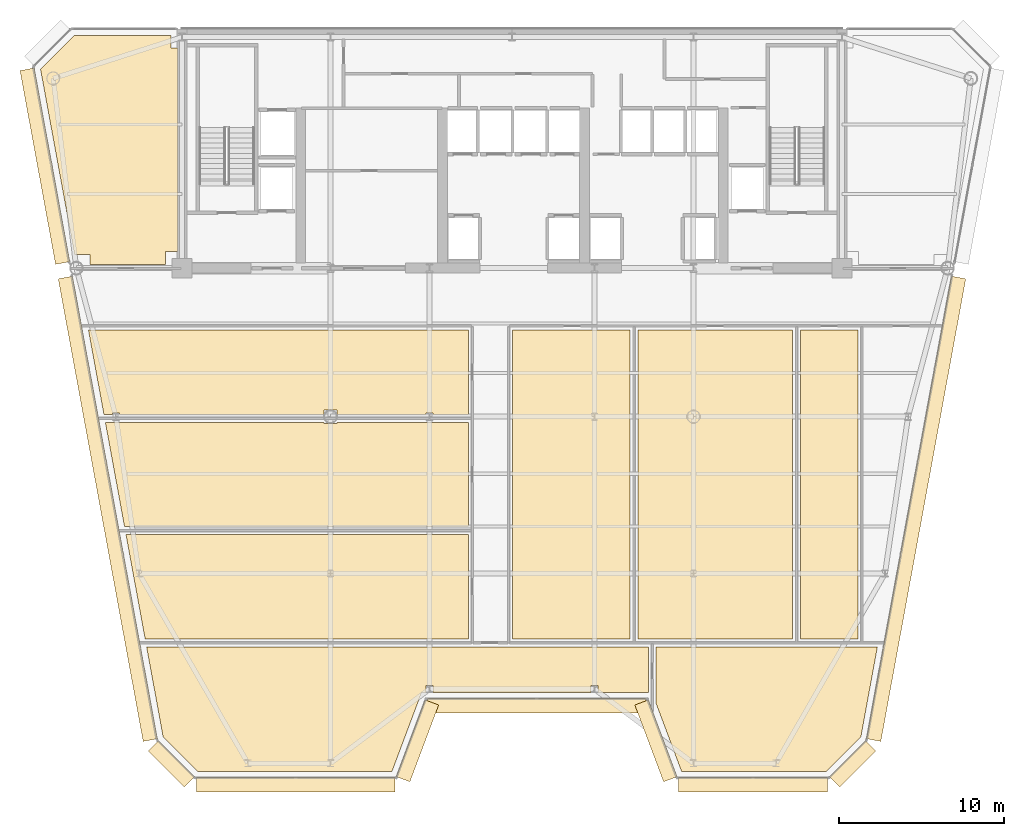
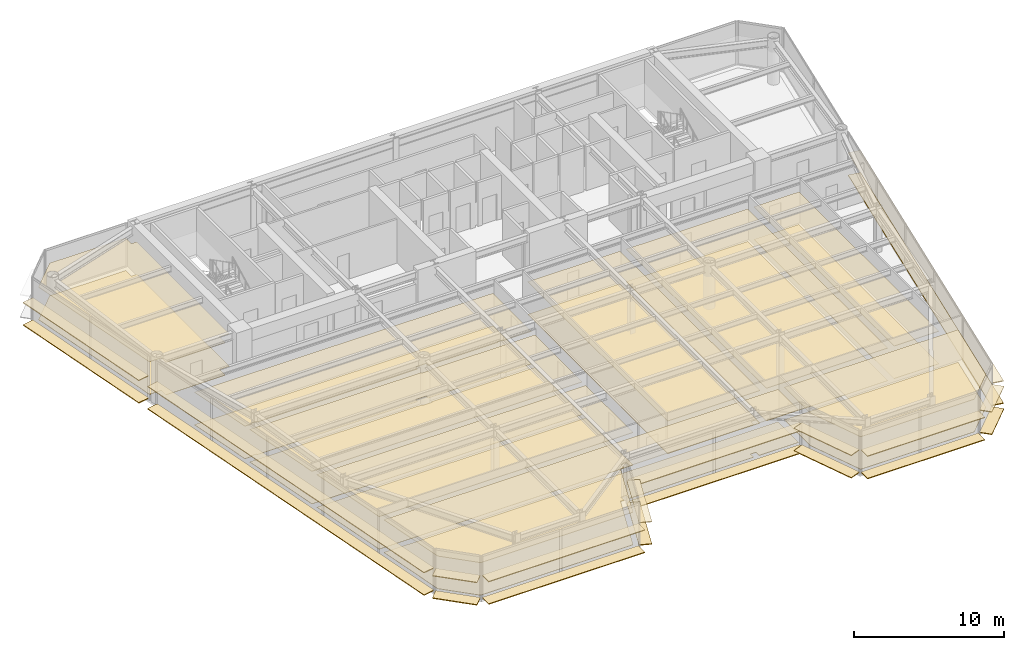
# One storey, part 13 of 16: 38 coverings.
"""IFC4 building model written with IfcOpenShell, lengths in metres."""

from ifc_helpers import new_model, si_unit, direction, frame, origin, origin_2d, place, context, subcontext, project, spatial, polyline, rectangle, outline, extrude, source, transform, mapped, material, layer, layer_set, type_object, element, save


model = new_model("IFC4")

# Units and contexts
model_context = context("Model", 3, precision=1e-05, world=origin(), true_north=direction((0.0, 1.0)))
body_context = subcontext(model_context, "Body", "Model", "MODEL_VIEW")
ifc_project = project(units=[si_unit("LENGTHUNIT", "METRE"), si_unit("AREAUNIT", "SQUARE_METRE"), si_unit("VOLUMEUNIT", "CUBIC_METRE"), si_unit("PLANEANGLEUNIT", "RADIAN"), si_unit("MASSUNIT", "GRAM", prefix="KILO")], contexts=[model_context])

# Site, building, storey
site_placement = place(None, origin())
site = spatial("IfcSite", under=ifc_project, at=site_placement, CompositionType="ELEMENT")
building_placement = place(site_placement, origin())
building = spatial("IfcBuilding", under=site, at=building_placement, Name="Vaeldorn Concourse Tower", CompositionType="ELEMENT")
storey_placement = place(building_placement, frame((0.0, 0.0, 184.199951171875)))
storey = spatial("IfcBuildingStorey", under=building, at=storey_placement, Name="L47", CompositionType="ELEMENT", Elevation=184.199951171875)

# Coverings
ifc_material_1 = material(Name="Acoustic Mineral Fibre Board", Category="gypsum")
ifc_layer_1 = layer(ifc_material_1, 0.0400390625)
ifc_layer_set_1 = layer_set([ifc_layer_1], Name="Acoustic Mineral Fibre Board")
covering_type_1 = type_object("IfcCoveringType", Name="COV-CEIL-ACOUSTIC", PredefinedType="CEILING", material=ifc_layer_set_1)
covering_1_placement = place(storey_placement, frame((0.0, 0.0, 2.650146484375)))
element("IfcCovering", 1, at=covering_1_placement, inside=storey, type_object=covering_type_1, Name="Suspended Acoustic Ceiling L47-3", PredefinedType="CEILING", context=body_context, shape_type="SweptSolid", body=[
    extrude(outline(polyline([(7.4658203125, 50.60009765625), (13.340087890625, 50.60009765625), (13.340087890625, 49.840087890625), (13.760009765625, 49.840087890625), (13.760009765625, 37.5), (13.0, 37.5), (13.0, 36.719970703125), (8.419921875, 36.719970703125), (8.419921875, 37.320068359375), (7.49609375, 37.320068359375), (5.431396484375, 48.565673828125), (7.4658203125, 50.60009765625)])), origin(), (0.0, 0.0, 1.0), 0.039794921875),
])
covering_2_placement = place(storey_placement, frame((0.0, 0.0, 2.650146484375)))
element("IfcCovering", 2, at=covering_2_placement, inside=storey, type_object=covering_type_1, Name="Suspended Acoustic Ceiling L47-5", PredefinedType="CEILING", context=body_context, shape_type="SweptSolid", body=[
    extrude(outline(polyline([(42.260009765625, 13.56005859375), (42.260009765625, 10.800048828125), (39.2060546875, 10.800048828125), (39.2060546875, 11.217529296875), (38.7939453125, 11.217529296875), (38.7939453125, 10.800048828125), (29.2060546875, 10.800048828125), (29.2060546875, 11.217529296875), (28.7939453125, 11.217529296875), (28.7939453125, 10.800048828125), (28.522705078125, 10.800048828125), (26.722900390625, 6.0), (14.956787109375, 6.0), (12.86181640625, 8.0947265625), (11.8583984375, 13.56005859375), (42.260009765625, 13.56005859375)])), origin(), (0.0, 0.0, 1.0), 0.039794921875),
])
covering_3_placement = place(storey_placement, frame((0.0, 0.0, 2.650146484375)))
element("IfcCovering", 3, at=covering_3_placement, inside=storey, type_object=covering_type_1, Name="Suspended Acoustic Ceiling L47-6", PredefinedType="CEILING", context=body_context, shape_type="SweptSolid", body=[
    extrude(outline(polyline([(53.043212890625, 6.0), (44.277099609375, 6.0), (42.739990234375, 10.09912109375), (42.739990234375, 13.56005859375), (56.1416015625, 13.56005859375), (55.13818359375, 8.0947265625), (53.043212890625, 6.0)])), origin(), (0.0, 0.0, 1.0), 0.039794921875),
])
covering_4_placement = place(storey_placement, frame((0.0, 0.0, 2.650146484375)))
element("IfcCovering", 4, at=covering_4_placement, inside=storey, type_object=covering_type_1, Name="Suspended Acoustic Ceiling L47-7", PredefinedType="CEILING", context=body_context, shape_type="SweptSolid", body=[
    extrude(outline(polyline([(31.360107421875, 20.360107421875), (31.360107421875, 14.0400390625), (11.7705078125, 14.0400390625), (11.16455078125, 17.340087890625), (11.16455078125, 17.340087890625), (10.610107421875, 20.360107421875), (31.360107421875, 20.360107421875)])), origin(), (0.0, 0.0, 1.0), 0.039794921875),
])
covering_5_placement = place(storey_placement, frame((0.0, 0.0, 2.650146484375)))
element("IfcCovering", 5, at=covering_5_placement, inside=storey, type_object=covering_type_1, Name="Suspended Acoustic Ceiling L47-8", PredefinedType="CEILING", context=body_context, shape_type="SweptSolid", body=[
    extrude(outline(polyline([(22.593505859375, 27.159912109375), (22.593505859375, 27.093505859375), (23.406494140625, 27.093505859375), (23.406494140625, 27.159912109375), (31.360107421875, 27.159912109375), (31.360107421875, 20.840087890625), (10.52197265625, 20.840087890625), (9.361572265625, 27.159912109375), (22.593505859375, 27.159912109375)])), origin(), (0.0, 0.0, 1.0), 0.039794921875),
])
covering_6_placement = place(storey_placement, frame((0.0, 0.0, 2.650146484375)))
element("IfcCovering", 6, at=covering_6_placement, inside=storey, type_object=covering_type_1, Name="Suspended Acoustic Ceiling L47-9", PredefinedType="CEILING", context=body_context, shape_type="SweptSolid", body=[
    extrude(outline(polyline([(31.360107421875, 32.760009765625), (31.360107421875, 27.639892578125), (29.2060546875, 27.639892578125), (29.2060546875, 27.717529296875), (28.7939453125, 27.717529296875), (28.7939453125, 27.639892578125), (23.406494140625, 27.639892578125), (23.406494140625, 27.906494140625), (22.593505859375, 27.906494140625), (22.593505859375, 27.639892578125), (10.2060546875, 27.639892578125), (10.2060546875, 27.717529296875), (9.7939453125, 27.717529296875), (9.7939453125, 27.639892578125), (9.2734375, 27.639892578125), (8.33349609375, 32.760009765625), (31.360107421875, 32.760009765625)])), origin(), (0.0, 0.0, 1.0), 0.039794921875),
])
covering_7_placement = place(storey_placement, frame((0.0, 0.0, 2.650146484375)))
element("IfcCovering", 7, at=covering_7_placement, inside=storey, type_object=covering_type_1, Name="Suspended Acoustic Ceiling L47-10", PredefinedType="CEILING", context=body_context, shape_type="SweptSolid", body=[
    extrude(outline(polyline([(34.0400390625, 32.760009765625), (41.159912109375, 32.760009765625), (41.159912109375, 14.0400390625), (34.0400390625, 14.0400390625), (34.0400390625, 32.760009765625)])), origin(), (0.0, 0.0, 1.0), 0.039794921875),
])
covering_8_placement = place(storey_placement, frame((0.0, 0.0, 2.650146484375)))
element("IfcCovering", 8, at=covering_8_placement, inside=storey, type_object=covering_type_1, Name="Suspended Acoustic Ceiling L47-11", PredefinedType="CEILING", context=body_context, shape_type="SweptSolid", body=[
    extrude(outline(polyline([(41.639892578125, 32.760009765625), (51.010009765625, 32.760009765625), (51.010009765625, 14.0400390625), (41.639892578125, 14.0400390625), (41.639892578125, 32.760009765625)])), origin(), (0.0, 0.0, 1.0), 0.039794921875),
])
covering_9_placement = place(storey_placement, frame((0.0, 0.0, 2.650146484375)))
element("IfcCovering", 9, at=covering_9_placement, inside=storey, type_object=covering_type_1, Name="Suspended Acoustic Ceiling L47-12", PredefinedType="CEILING", context=body_context, shape_type="SweptSolid", body=[
    extrude(outline(polyline([(51.489990234375, 32.760009765625), (54.9599609375, 32.760009765625), (54.9599609375, 14.0400390625), (51.489990234375, 14.0400390625), (51.489990234375, 32.760009765625)])), origin(), (0.0, 0.0, 1.0), 0.039794921875),
])
ifc_material_2 = material(Name="Honed Limestone Terrazzo Flooring", Category="masonry")
ifc_layer_2 = layer(ifc_material_2, 0.0400390625)
ifc_layer_set_2 = layer_set([ifc_layer_2], Name="Honed Limestone Terrazzo Flooring")
covering_type_2 = type_object("IfcCoveringType", Name="COV-FLOOR-STONE", PredefinedType="FLOORING", material=ifc_layer_set_2)
covering_10_placement = place(storey_placement, origin())
element("IfcCovering", 10, at=covering_10_placement, inside=storey, type_object=covering_type_2, Name="Floor Finish Covering L47-3", PredefinedType="FLOORING", context=body_context, shape_type="SweptSolid", body=[
    extrude(outline(polyline([(7.4658203125, 50.60009765625), (13.340087890625, 50.60009765625), (13.340087890625, 49.840087890625), (13.760009765625, 49.840087890625), (13.760009765625, 37.5), (13.0, 37.5), (13.0, 36.719970703125), (8.419921875, 36.719970703125), (8.419921875, 37.320068359375), (7.49609375, 37.320068359375), (5.431396484375, 48.565673828125), (7.4658203125, 50.60009765625)])), origin(), (0.0, 0.0, 1.0), 0.030029296875),
])
covering_11_placement = place(storey_placement, origin())
element("IfcCovering", 11, at=covering_11_placement, inside=storey, type_object=covering_type_2, Name="Floor Finish Covering L47-5", PredefinedType="FLOORING", context=body_context, shape_type="SweptSolid", body=[
    extrude(outline(polyline([(42.260009765625, 13.56005859375), (42.260009765625, 10.800048828125), (39.2060546875, 10.800048828125), (39.2060546875, 11.217529296875), (38.7939453125, 11.217529296875), (38.7939453125, 10.800048828125), (29.2060546875, 10.800048828125), (29.2060546875, 11.217529296875), (28.7939453125, 11.217529296875), (28.7939453125, 10.800048828125), (28.522705078125, 10.800048828125), (26.722900390625, 6.0), (14.956787109375, 6.0), (12.86181640625, 8.0947265625), (11.8583984375, 13.56005859375), (42.260009765625, 13.56005859375)])), origin(), (0.0, 0.0, 1.0), 0.030029296875),
])
covering_12_placement = place(storey_placement, origin())
element("IfcCovering", 12, at=covering_12_placement, inside=storey, type_object=covering_type_2, Name="Floor Finish Covering L47-6", PredefinedType="FLOORING", context=body_context, shape_type="SweptSolid", body=[
    extrude(outline(polyline([(53.043212890625, 6.0), (44.277099609375, 6.0), (42.739990234375, 10.09912109375), (42.739990234375, 13.56005859375), (56.1416015625, 13.56005859375), (55.13818359375, 8.0947265625), (53.043212890625, 6.0)])), origin(), (0.0, 0.0, 1.0), 0.030029296875),
])
covering_13_placement = place(storey_placement, origin())
element("IfcCovering", 13, at=covering_13_placement, inside=storey, type_object=covering_type_2, Name="Floor Finish Covering L47-7", PredefinedType="FLOORING", context=body_context, shape_type="SweptSolid", body=[
    extrude(outline(polyline([(31.360107421875, 20.360107421875), (31.360107421875, 14.0400390625), (11.7705078125, 14.0400390625), (11.16455078125, 17.340087890625), (11.16455078125, 17.340087890625), (10.610107421875, 20.360107421875), (31.360107421875, 20.360107421875)])), origin(), (0.0, 0.0, 1.0), 0.030029296875),
])
covering_14_placement = place(storey_placement, origin())
element("IfcCovering", 14, at=covering_14_placement, inside=storey, type_object=covering_type_2, Name="Floor Finish Covering L47-8", PredefinedType="FLOORING", context=body_context, shape_type="SweptSolid", body=[
    extrude(outline(polyline([(22.593505859375, 27.159912109375), (22.593505859375, 27.093505859375), (23.406494140625, 27.093505859375), (23.406494140625, 27.159912109375), (31.360107421875, 27.159912109375), (31.360107421875, 20.840087890625), (10.52197265625, 20.840087890625), (9.361572265625, 27.159912109375), (22.593505859375, 27.159912109375)])), origin(), (0.0, 0.0, 1.0), 0.030029296875),
])
covering_15_placement = place(storey_placement, origin())
element("IfcCovering", 15, at=covering_15_placement, inside=storey, type_object=covering_type_2, Name="Floor Finish Covering L47-9", PredefinedType="FLOORING", context=body_context, shape_type="SweptSolid", body=[
    extrude(outline(polyline([(31.360107421875, 32.760009765625), (31.360107421875, 27.639892578125), (29.2060546875, 27.639892578125), (29.2060546875, 27.717529296875), (28.7939453125, 27.717529296875), (28.7939453125, 27.639892578125), (23.406494140625, 27.639892578125), (23.406494140625, 27.906494140625), (22.593505859375, 27.906494140625), (22.593505859375, 27.639892578125), (10.2060546875, 27.639892578125), (10.2060546875, 27.717529296875), (9.7939453125, 27.717529296875), (9.7939453125, 27.639892578125), (9.2734375, 27.639892578125), (8.33349609375, 32.760009765625), (31.360107421875, 32.760009765625)])), origin(), (0.0, 0.0, 1.0), 0.030029296875),
])
covering_16_placement = place(storey_placement, origin())
element("IfcCovering", 16, at=covering_16_placement, inside=storey, type_object=covering_type_2, Name="Floor Finish Covering L47-10", PredefinedType="FLOORING", context=body_context, shape_type="SweptSolid", body=[
    extrude(outline(polyline([(34.0400390625, 32.760009765625), (41.159912109375, 32.760009765625), (41.159912109375, 14.0400390625), (34.0400390625, 14.0400390625), (34.0400390625, 32.760009765625)])), origin(), (0.0, 0.0, 1.0), 0.030029296875),
])
covering_17_placement = place(storey_placement, origin())
element("IfcCovering", 17, at=covering_17_placement, inside=storey, type_object=covering_type_2, Name="Floor Finish Covering L47-11", PredefinedType="FLOORING", context=body_context, shape_type="SweptSolid", body=[
    extrude(outline(polyline([(41.639892578125, 32.760009765625), (51.010009765625, 32.760009765625), (51.010009765625, 14.0400390625), (41.639892578125, 14.0400390625), (41.639892578125, 32.760009765625)])), origin(), (0.0, 0.0, 1.0), 0.030029296875),
])
covering_18_placement = place(storey_placement, origin())
element("IfcCovering", 18, at=covering_18_placement, inside=storey, type_object=covering_type_2, Name="Floor Finish Covering L47-12", PredefinedType="FLOORING", context=body_context, shape_type="SweptSolid", body=[
    extrude(outline(polyline([(51.489990234375, 32.760009765625), (54.9599609375, 32.760009765625), (54.9599609375, 14.0400390625), (51.489990234375, 14.0400390625), (51.489990234375, 32.760009765625)])), origin(), (0.0, 0.0, 1.0), 0.030029296875),
])
ifc_material_3 = material(Name="Anodised Bronze Aluminium", Category="aluminium")
ifc_layer_3 = layer(ifc_material_3, 0.06494140625)
ifc_layer_set_3 = layer_set([ifc_layer_3], Name="Anodised Bronze Aluminium")
covering_type_3 = type_object("IfcCoveringType", Name="SD-BRONZE-SUNSHADE", PredefinedType="USERDEFINED", material=ifc_layer_set_3)
shared_shape_1 = source(origin(), body_context, "Body", "SweptSolid", [
    extrude(rectangle(XDim=4.96630859375, YDim=0.8798828125, at=origin_2d()), origin(), (0.0, 0.0, 1.0), 0.06494140625),
])
for number, where, z_axis, x_axis, name in (
    (19, (28.2744140625, 7.859619140625, 0.047607421875), (0.0, 0.0, 1.0), (0.351122702609, 0.936329454686, 0.0), "Horizontal Bronze Sunshade L47-E02.1.1"),
    (20, (28.2744140625, 7.859619140625, 1.86767578125), (0.0, 0.0, 1.0), (0.351122702609, 0.936329454686, 0.0), "Horizontal Bronze Sunshade L47-E02.1.2"),
    (21, (42.7255859375, 7.859619140625, 0.047607421875), (0.0, 0.0, 1.0), (0.351122702609, -0.936329454686, 0.0), "Horizontal Bronze Sunshade L47-E04.1.1"),
    (22, (42.7255859375, 7.859619140625, 1.86767578125), (0.0, 0.0, 1.0), (0.351122702609, -0.936329454686, 0.0), "Horizontal Bronze Sunshade L47-E04.1.2"),
):
    element("IfcCovering", number, at=place(storey_placement, frame(where, z_axis=z_axis, x_axis=x_axis)), inside=storey, type_object=covering_type_3, Name=name, ObjectType="SUNSHADE", PredefinedType="USERDEFINED", context=body_context, shape_type="MappedRepresentation", body=[
        mapped(shared_shape_1, transform((0.0, 0.0, 0.0), scale=1.0)),
    ])
shared_shape_2 = source(origin(), body_context, "Body", "SweptSolid", [
    extrude(rectangle(XDim=13.239990234375, YDim=0.8798828125, at=origin_2d()), origin(), (0.0, 0.0, 1.0), 0.06494140625),
])
for number, where, z_axis, x_axis, name in (
    (23, (35.5, 10.0, 0.047607421875), (0.0, 0.0, 1.0), (1.0, 0.0, 0.0), "Horizontal Bronze Sunshade L47-E03.1.1"),
    (24, (35.5, 10.0, 1.86767578125), (0.0, 0.0, 1.0), (1.0, 0.0, 0.0), "Horizontal Bronze Sunshade L47-E03.1.2"),
):
    element("IfcCovering", number, at=place(storey_placement, frame(where, z_axis=z_axis, x_axis=x_axis)), inside=storey, type_object=covering_type_3, Name=name, ObjectType="SUNSHADE", PredefinedType="USERDEFINED", context=body_context, shape_type="MappedRepresentation", body=[
        mapped(shared_shape_2, transform((0.0, 0.0, 0.0), scale=1.0)),
    ])
shared_shape_3 = source(origin(), body_context, "Body", "SweptSolid", [
    extrude(rectangle(XDim=3.0927734375, YDim=0.8798828125, at=origin_2d()), origin(), (0.0, 0.0, 1.0), 0.06494140625),
])
for number, where, z_axis, x_axis, name in (
    (25, (54.641845703125, 6.46728515625, 0.047607421875), (0.0, 0.0, 1.0), (0.707106781187, 0.707106781187, 0.0), "Horizontal Bronze Sunshade L47-E06.1.1"),
    (26, (54.641845703125, 6.46728515625, 1.86767578125), (0.0, 0.0, 1.0), (0.707106781187, 0.707106781187, 0.0), "Horizontal Bronze Sunshade L47-E06.1.2"),
    (27, (13.358154296875, 6.46728515625, 0.047607421875), (0.0, 0.0, 1.0), (0.707106781187, -0.707106781187, 0.0), "Horizontal Bronze Sunshade L47-E12.1.1"),
    (28, (13.358154296875, 6.46728515625, 1.86767578125), (0.0, 0.0, 1.0), (0.707106781187, -0.707106781187, 0.0), "Horizontal Bronze Sunshade L47-E12.1.2"),
):
    element("IfcCovering", number, at=place(storey_placement, frame(where, z_axis=z_axis, x_axis=x_axis)), inside=storey, type_object=covering_type_3, Name=name, ObjectType="SUNSHADE", PredefinedType="USERDEFINED", context=body_context, shape_type="MappedRepresentation", body=[
        mapped(shared_shape_3, transform((0.0, 0.0, 0.0), scale=1.0)),
    ])
shared_shape_4 = source(origin(), body_context, "Body", "SweptSolid", [
    extrude(rectangle(XDim=28.49462890625, YDim=0.8798828125, at=origin_2d()), origin(), (0.0, 0.0, 1.0), 0.06494140625),
])
for number, where, z_axis, x_axis, name in (
    (29, (58.48974609375, 21.91943359375, 0.047607421875), (0.0, 0.0, 1.0), (0.180587811053, 0.983558865803, 0.0), "Horizontal Bronze Sunshade L47-E07.1.1"),
    (30, (58.48974609375, 21.91943359375, 1.86767578125), (0.0, 0.0, 1.0), (0.180587811053, 0.983558865803, 0.0), "Horizontal Bronze Sunshade L47-E07.1.2"),
    (31, (9.51025390625, 21.91943359375, 0.047607421875), (0.0, 0.0, 1.0), (0.180587811053, -0.983558865803, 0.0), "Horizontal Bronze Sunshade L47-E11.2.1"),
    (32, (9.51025390625, 21.91943359375, 1.86767578125), (0.0, 0.0, 1.0), (0.180587811053, -0.983558865803, 0.0), "Horizontal Bronze Sunshade L47-E11.2.2"),
):
    element("IfcCovering", number, at=place(storey_placement, frame(where, z_axis=z_axis, x_axis=x_axis)), inside=storey, type_object=covering_type_3, Name=name, ObjectType="SUNSHADE", PredefinedType="USERDEFINED", context=body_context, shape_type="MappedRepresentation", body=[
        mapped(shared_shape_4, transform((0.0, 0.0, 0.0), scale=1.0)),
    ])
shared_shape_5 = source(origin(), body_context, "Body", "SweptSolid", [
    extrude(rectangle(XDim=11.931396484375, YDim=0.8798828125, at=origin_2d()), origin(), (0.0, 0.0, 1.0), 0.06494140625),
])
for number, where, z_axis, x_axis, name in (
    (33, (5.6982421875, 42.681396484375, 0.047607421875), (0.0, 0.0, 1.0), (0.180587811053, -0.983558865803, 0.0), "Horizontal Bronze Sunshade L47-E11.1.1"),
    (34, (5.6982421875, 42.681396484375, 1.86767578125), (0.0, 0.0, 1.0), (0.180587811053, -0.983558865803, 0.0), "Horizontal Bronze Sunshade L47-E11.1.2"),
):
    element("IfcCovering", number, at=place(storey_placement, frame(where, z_axis=z_axis, x_axis=x_axis)), inside=storey, type_object=covering_type_3, Name=name, ObjectType="SUNSHADE", PredefinedType="USERDEFINED", context=body_context, shape_type="MappedRepresentation", body=[
        mapped(shared_shape_5, transform((0.0, 0.0, 0.0), scale=1.0)),
    ])
shared_shape_6 = source(origin(), body_context, "Body", "SweptSolid", [
    extrude(rectangle(XDim=12.049072265625, YDim=0.8798828125, at=origin_2d()), origin(), (0.0, 0.0, 1.0), 0.06494140625),
])
for number, where, z_axis, x_axis, name in (
    (35, (20.8955078125, 5.199951171875, 0.047607421875), (0.0, 0.0, 1.0), (1.0, 0.0, 0.0), "Horizontal Bronze Sunshade L47-E01.1.1"),
    (36, (20.8955078125, 5.199951171875, 1.86767578125), (0.0, 0.0, 1.0), (1.0, 0.0, 0.0), "Horizontal Bronze Sunshade L47-E01.1.2"),
):
    element("IfcCovering", number, at=place(storey_placement, frame(where, z_axis=z_axis, x_axis=x_axis)), inside=storey, type_object=covering_type_3, Name=name, ObjectType="SUNSHADE", PredefinedType="USERDEFINED", context=body_context, shape_type="MappedRepresentation", body=[
        mapped(shared_shape_6, transform((0.0, 0.0, 0.0), scale=1.0)),
    ])
shared_shape_7 = source(origin(), body_context, "Body", "SweptSolid", [
    extrude(rectangle(XDim=9.049072265625, YDim=0.8798828125, at=origin_2d()), origin(), (0.0, 0.0, 1.0), 0.06494140625),
])
for number, where, z_axis, x_axis, name in (
    (37, (48.6044921875, 5.199951171875, 0.047607421875), (0.0, 0.0, 1.0), (1.0, 0.0, 0.0), "Horizontal Bronze Sunshade L47-E05.1.1"),
    (38, (48.6044921875, 5.199951171875, 1.86767578125), (0.0, 0.0, 1.0), (1.0, 0.0, 0.0), "Horizontal Bronze Sunshade L47-E05.1.2"),
):
    element("IfcCovering", number, at=place(storey_placement, frame(where, z_axis=z_axis, x_axis=x_axis)), inside=storey, type_object=covering_type_3, Name=name, ObjectType="SUNSHADE", PredefinedType="USERDEFINED", context=body_context, shape_type="MappedRepresentation", body=[
        mapped(shared_shape_7, transform((0.0, 0.0, 0.0), scale=1.0)),
    ])

save(model, "model.ifc")
